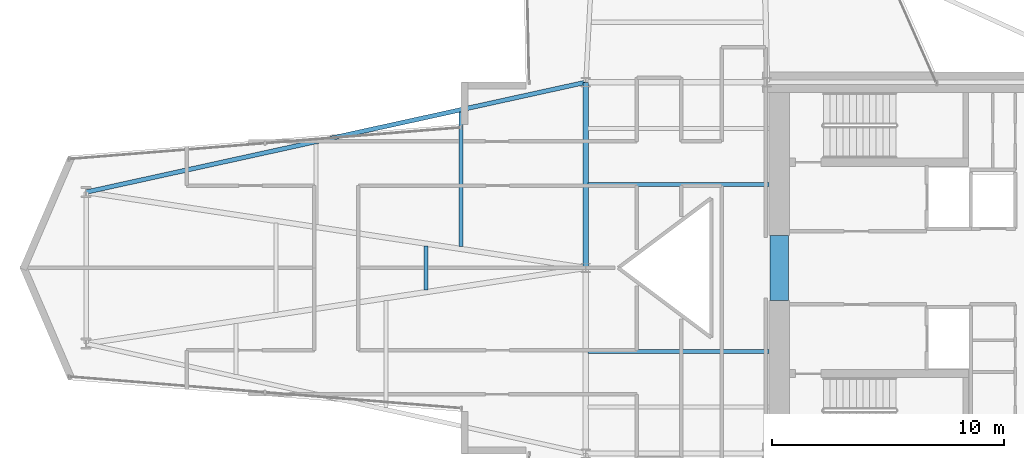
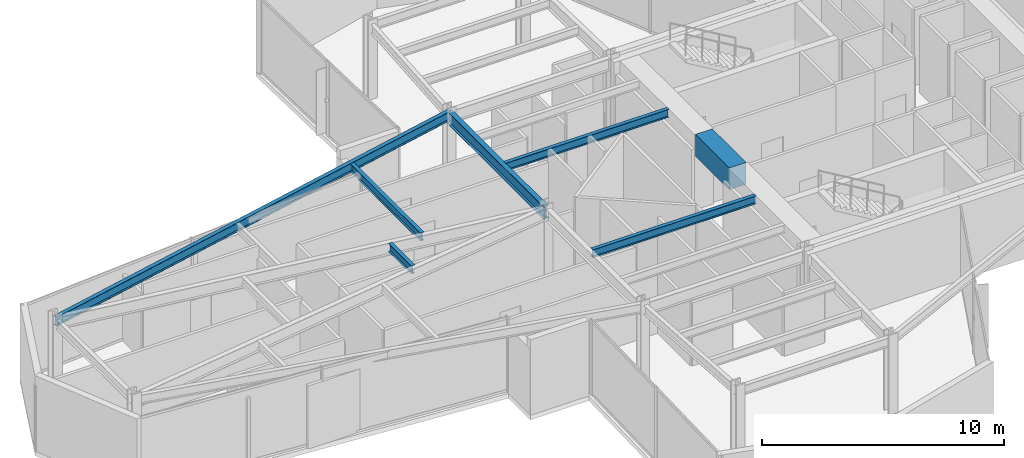
# One storey, part 8 of 23: 7 beams.
"""IFC4 building model written with IfcOpenShell, lengths in metres."""

import ifcopenshell
import ifcopenshell.guid

model = None  # the IFC model being written
_history = None  # IfcOwnerHistory: only IFC2X3 demands one
_inside = {}  # id of a spatial element -> (the spatial element, [elements in it])
_under = {}  # id of a project, library or spatial element -> (it, [spatial elements below it])
_declared = {}  # id of a project -> (the project, [libraries it declares])
_typed = {}  # id of a type object -> (the type object, [elements of that type])
_made_of = {}  # id of a material, layer set ... -> (it, [elements and type objects made of it])


def new_model(schema):
    """Start an empty IFC model of exactly this schema.

    Asked for "IFC4X3", IfcOpenShell would pick the latest addendum, in which some entities
    have other attributes; the version numbers below select the first issue.
    IFC2X3 requires an IfcOwnerHistory on every rooted entity: one is made here for all.
    """
    global model, _history
    if schema == "IFC4X3":
        model = ifcopenshell.file(schema_version=(4, 3, 0, 0))
    else:
        model = ifcopenshell.file(schema=schema)
    _inside.clear()
    _under.clear()
    _declared.clear()
    _typed.clear()
    _made_of.clear()
    _history = None
    if model.schema == "IFC2X3":
        org = make("IfcOrganization", Name="unknown")
        user = make(
            "IfcPersonAndOrganization",
            ThePerson=make("IfcPerson", FamilyName="unknown"),
            TheOrganization=org,
        )
        app = make(
            "IfcApplication",
            ApplicationDeveloper=org,
            Version="unknown",
            ApplicationFullName="unknown",
            ApplicationIdentifier="unknown",
        )
        _history = make(
            "IfcOwnerHistory",
            OwningUser=user,
            OwningApplication=app,
            ChangeAction="ADDED",
            CreationDate=0,
        )
    return model


def make(cls, **values):
    """One entity of the class cls with the attributes given. An attribute that is None is left unset."""
    return model.create_entity(
        cls, **{name: value for name, value in values.items() if value is not None}
    )


def rooted(cls, **values):
    """An entity with a GlobalId (a new one), such as an element, a storey or a relation."""
    return make(cls, GlobalId=ifcopenshell.guid.new(), OwnerHistory=_history, **values)


def si_unit(unit_type, name, prefix=None):
    """IfcSIUnit, for example si_unit("LENGTHUNIT", "METRE", prefix="MILLI")."""
    return make("IfcSIUnit", UnitType=unit_type, Prefix=prefix, Name=name)


def assignment(units):
    """IfcUnitAssignment: the units of a project."""
    return None if units is None else make("IfcUnitAssignment", Units=units)


def point(xyz):
    """IfcCartesianPoint."""
    return None if xyz is None else make("IfcCartesianPoint", Coordinates=xyz)


def direction(xyz):
    """IfcDirection."""
    return None if xyz is None else make("IfcDirection", DirectionRatios=xyz)


def frame(location, z_axis=None, x_axis=None):
    """IfcAxis2Placement3D, a coordinate frame: its origin and axes. An axis left out is left unset."""
    return make(
        "IfcAxis2Placement3D",
        Location=point(location),
        Axis=direction(z_axis),
        RefDirection=direction(x_axis),
    )


def frame_2d(location, x_axis=None):
    """IfcAxis2Placement2D, a coordinate frame in the plane: its origin and x axis."""
    return make(
        "IfcAxis2Placement2D", Location=point(location), RefDirection=direction(x_axis)
    )


def origin():
    """The frame at (0, 0, 0) with its axes left unset."""
    return frame((0.0, 0.0, 0.0))


def origin_2d():
    """The frame at (0, 0) in the plane with its x axis left unset."""
    return frame_2d((0.0, 0.0))


def place(relative_to, where):
    """IfcLocalPlacement: puts the frame where relative to a parent placement (None: the world)."""
    return make(
        "IfcLocalPlacement", PlacementRelTo=relative_to, RelativePlacement=where
    )


def context(
    kind, dimensions, precision=None, world=None, true_north=None, identifier=None
):
    """IfcGeometricRepresentationContext, for example the 3D "Model" context."""
    return make(
        "IfcGeometricRepresentationContext",
        ContextIdentifier=identifier,
        ContextType=kind,
        CoordinateSpaceDimension=dimensions,
        Precision=precision,
        WorldCoordinateSystem=world,
        TrueNorth=true_north,
    )


def subcontext(parent, identifier, kind, view, scale=None):
    """IfcGeometricRepresentationSubContext, for example "Body" below "Model"."""
    return make(
        "IfcGeometricRepresentationSubContext",
        ContextIdentifier=identifier,
        ContextType=kind,
        ParentContext=parent,
        TargetScale=scale,
        TargetView=view,
    )


def project(units=None, contexts=None):
    """IfcProject with its units and contexts."""
    return rooted(
        "IfcProject",
        Name="project",
        RepresentationContexts=contexts,
        UnitsInContext=assignment(units),
    )


def spatial(cls, under=None, at=None, **own):
    """A site, building, storey or space (cls), placed at a placement, below another one or the project."""
    s = rooted(cls, ObjectPlacement=at, **own)
    if under is not None:
        _under.setdefault(under.id(), (under, []))[1].append(s)
    return s


def profile(cls, at=None, kind="AREA", **sizes):
    """A parametric profile (cls). Its sizes go by their IFC names, for example OverallWidth=200.0."""
    return make(cls, ProfileType=kind, Position=at, **sizes)


def rectangle(**sizes):
    """IfcRectangleProfileDef."""
    return profile("IfcRectangleProfileDef", **sizes)


def i_section(**sizes):
    """IfcIShapeProfileDef."""
    return profile("IfcIShapeProfileDef", **sizes)


def extrude(swept, where, along, depth):
    """IfcExtrudedAreaSolid: the profile swept, set in the frame where, extruded along a direction by depth."""
    return make(
        "IfcExtrudedAreaSolid",
        SweptArea=swept,
        Position=where,
        ExtrudedDirection=direction(along),
        Depth=depth,
    )


def shape(context_of_items, identifier, shape_type, items):
    """IfcShapeRepresentation: the items that make up one representation, for example the "Body"."""
    return make(
        "IfcShapeRepresentation",
        ContextOfItems=context_of_items,
        RepresentationIdentifier=identifier,
        RepresentationType=shape_type,
        Items=items,
    )


def material(Name=None, Category=None):
    """IfcMaterial."""
    return make("IfcMaterial", Name=Name, Category=Category)


def material_profile(
    of_material, cross_section, Name=None, Category=None, Priority=None
):
    """IfcMaterialProfile: a cross section and its material."""
    return make(
        "IfcMaterialProfile",
        Name=Name,
        Material=of_material,
        Profile=cross_section,
        Priority=Priority,
        Category=Category,
    )


def profile_set(profiles, Name=None, composite=None):
    """IfcMaterialProfileSet."""
    return make(
        "IfcMaterialProfileSet",
        Name=Name,
        MaterialProfiles=profiles,
        CompositeProfile=composite,
    )


def made_of(thing, what):
    """Note that an element or type object is made of a material, layer set ...; save() writes the relation."""
    if what is not None:
        _made_of.setdefault(what.id(), (what, []))[1].append(thing)
    return thing


def type_object(cls, material=None, **own):
    """A type object (cls), such as IfcWallType, which elements share."""
    return made_of(rooted(cls, **own), material)


def element(
    cls,
    number,
    at=None,
    inside=None,
    cuts=None,
    type_object=None,
    material=None,
    context=None,
    identifier="Body",
    shape_type=None,
    held_by="IfcProductDefinitionShape",
    body=None,
    shapes=None,
    **own,
):
    """One element of the class cls, such as IfcWall. Its Tag is "e" and its number.

    at: its placement. inside: the storey or other place that contains it. cuts: it is an
    opening in that element (IfcRelVoidsElement). A single representation is given by context,
    identifier, shape_type and body (its items); several are given by shapes. held_by: the class
    of the entity that holds the representations. save() writes the other relations.
    """
    e = rooted(cls, Tag="e%d" % number, ObjectPlacement=at, **own)
    if body is not None:
        shapes = [shape(context, identifier, shape_type, body)]
    if shapes is not None:
        e.Representation = make(held_by, Representations=shapes)
    if inside is not None:
        _inside.setdefault(inside.id(), (inside, []))[1].append(e)
    if cuts is not None:
        rooted(
            "IfcRelVoidsElement", RelatingBuildingElement=cuts, RelatedOpeningElement=e
        )
    if type_object is not None:
        _typed.setdefault(type_object.id(), (type_object, []))[1].append(e)
    return made_of(e, material)


def aggregate(whole, parts):
    """IfcRelAggregates: a whole, such as a stair, and the parts it consists of."""
    return rooted("IfcRelAggregates", RelatingObject=whole, RelatedObjects=parts)


def save(model, path):
    """Write the relations noted so far, then the file.

    IfcRelAggregates (storeys below a building ...), IfcRelContainedInSpatialStructure (elements
    in a storey), IfcRelDefinesByType, IfcRelAssociatesMaterial and IfcRelDeclares: one each for
    every whole, place, type object, material and project.
    """
    for whole, parts in _under.values():
        aggregate(whole, parts)
    for where, things in _inside.values():
        rooted(
            "IfcRelContainedInSpatialStructure",
            RelatedElements=things,
            RelatingStructure=where,
        )
    for kind, things in _typed.values():
        rooted("IfcRelDefinesByType", RelatedObjects=things, RelatingType=kind)
    for what, things in _made_of.values():
        rooted("IfcRelAssociatesMaterial", RelatedObjects=things, RelatingMaterial=what)
    for by, libraries in _declared.values():
        rooted("IfcRelDeclares", RelatingContext=by, RelatedDefinitions=libraries)
    model.write(path)


model = new_model("IFC4")

# Units and contexts
model_context = context("Model", 3, precision=1e-05, world=origin(), true_north=direction((0.0, 1.0)))
body_context = subcontext(model_context, "Body", "Model", "MODEL_VIEW")
ifc_project = project(units=[si_unit("LENGTHUNIT", "METRE"), si_unit("AREAUNIT", "SQUARE_METRE"), si_unit("VOLUMEUNIT", "CUBIC_METRE"), si_unit("PLANEANGLEUNIT", "RADIAN"), si_unit("MASSUNIT", "GRAM", prefix="KILO")], contexts=[model_context])

# Site, building, storey
site_placement = place(None, origin())
site = spatial("IfcSite", under=ifc_project, at=site_placement, CompositionType="ELEMENT")
building_placement = place(site_placement, origin())
building = spatial("IfcBuilding", under=site, at=building_placement, Name="Veymaron Broadcast Tower", CompositionType="ELEMENT")
storey_placement = place(building_placement, frame((0.0, 0.0, 94.5)))
storey = spatial("IfcBuildingStorey", under=building, at=storey_placement, Name="L21", CompositionType="ELEMENT", Elevation=94.5)

# Beams
ifc_material_1 = material(Name="Concrete C70/85", Category="concrete")
ifc_material_profile_1 = material_profile(ifc_material_1, rectangle(XDim=0.800048828125, YDim=1.10009765625, at=origin_2d()), Name="RC800X1100")
ifc_profile_set_1 = profile_set([ifc_material_profile_1], Name="Concrete C70/85")
beam_type_1 = type_object("IfcBeamType", Name="BM-CB1", PredefinedType="LINTEL", material=ifc_profile_set_1)
beam_1_placement = place(storey_placement, frame((39.530029296875, 22.60009765625, 3.260009765625), z_axis=(0.0, 1.0, 0.0), x_axis=(-1.0, 0.0, 0.0)))
element("IfcBeam", 1, at=beam_1_placement, inside=storey, type_object=beam_type_1, Name="L21 Core Wall west coupling beam", PredefinedType="LINTEL", context=body_context, shape_type="SweptSolid", body=[
    extrude(rectangle(XDim=0.800048828125, YDim=1.10009765625, at=origin_2d()), origin(), (0.0, 0.0, 1.0), 2.7998046875),
])
ifc_material_2 = material(Name="Structural steel ASTM A992 Gr 50", Category="steel")
ifc_material_profile_2 = material_profile(ifc_material_2, i_section(OverallWidth=0.22998046875, OverallDepth=0.616943359375, WebThickness=0.01318359375, FlangeThickness=0.022216796875, at=origin_2d()), Name="W610X140")
ifc_profile_set_2 = profile_set([ifc_material_profile_2], Name="Structural steel ASTM A992 Gr 50")
beam_type_2 = type_object("IfcBeamType", Name="BM-FG1", PredefinedType="BEAM", material=ifc_profile_set_2)
beam_2_placement = place(storey_placement, frame((31.199951171875, 24.0, 3.50146484375), z_axis=(0.0, 1.0, 0.0), x_axis=(-1.0, 0.0, 0.0)))
element("IfcBeam", 2, at=beam_2_placement, inside=storey, type_object=beam_type_2, Name="L21 primary structural floor girder", PredefinedType="BEAM", context=body_context, shape_type="SweptSolid", body=[
    extrude(i_section(OverallWidth=0.22998046875, OverallDepth=0.616943359375, WebThickness=0.01318359375, FlangeThickness=0.022216796875, at=origin_2d()), origin(), (0.0, 0.0, 1.0), 8.0),
])
ifc_material_profile_3 = material_profile(ifc_material_2, i_section(OverallWidth=0.177978515625, OverallDepth=0.406982421875, WebThickness=0.0078125, FlangeThickness=0.0126953125, at=origin_2d()), Name="W410X60")
ifc_profile_set_3 = profile_set([ifc_material_profile_3], Name="Structural steel ASTM A992 Gr 50")
beam_type_3 = type_object("IfcBeamType", Name="BM-JS1", PredefinedType="JOIST", material=ifc_profile_set_3)
beam_3_placement = place(storey_placement, frame((24.30810546875, 23.05517578125, 3.6064453125), z_axis=(0.0, 1.0, 0.0), x_axis=(-1.0, 0.0, 0.0)))
element("IfcBeam", 3, at=beam_3_placement, inside=storey, type_object=beam_type_3, Name="L21 Arm-A secondary joist 2M", PredefinedType="JOIST", context=body_context, shape_type="SweptSolid", body=[
    extrude(i_section(OverallWidth=0.177978515625, OverallDepth=0.406982421875, WebThickness=0.0078125, FlangeThickness=0.0126953125, at=origin_2d()), origin(), (0.0, 0.0, 1.0), 1.8896484375),
])
beam_4_placement = place(storey_placement, frame((25.815673828125, 24.916259765625, 3.6064453125), z_axis=(0.0, 1.0, 0.0), x_axis=(-1.0, 0.0, 0.0)))
element("IfcBeam", 4, at=beam_4_placement, inside=storey, type_object=beam_type_3, Name="L21 Arm-A secondary joist 2N", PredefinedType="JOIST", context=body_context, shape_type="SweptSolid", body=[
    extrude(i_section(OverallWidth=0.177978515625, OverallDepth=0.406982421875, WebThickness=0.0078125, FlangeThickness=0.0126953125, at=origin_2d()), origin(), (0.0, 0.0, 1.0), 5.800048828125),
])
for number, where, z_axis, x_axis, name in (
    (5, (31.300048828125, 20.39990234375, 3.6064453125), (1.0, 0.0, 0.0), (0.0, 1.0, 0.0), "L21 Hub secondary joist 2"),
    (6, (31.300048828125, 27.60009765625, 3.6064453125), (1.0, 0.0, 0.0), (0.0, 1.0, 0.0), "L21 Hub secondary joist 3"),
):
    element("IfcBeam", number, at=place(storey_placement, frame(where, z_axis=z_axis, x_axis=x_axis)), inside=storey, type_object=beam_type_3, Name=name, PredefinedType="JOIST", context=body_context, shape_type="SweptSolid", body=[
        extrude(i_section(OverallWidth=0.177978515625, OverallDepth=0.406982421875, WebThickness=0.0078125, FlangeThickness=0.0126953125, at=origin_2d()), origin(), (0.0, 0.0, 1.0), 7.800048828125),
    ])
ifc_material_profile_4 = material_profile(ifc_material_2, i_section(OverallWidth=0.19091796875, OverallDepth=0.4599609375, WebThickness=0.010009765625, FlangeThickness=0.01611328125, at=origin_2d()), Name="W460X82")
ifc_profile_set_4 = profile_set([ifc_material_profile_4], Name="Structural steel ASTM A992 Gr 50")
beam_type_4 = type_object("IfcBeamType", Name="BM-SP1", PredefinedType="SPANDREL", material=ifc_profile_set_4)
beam_5_placement = place(storey_placement, frame((9.6630859375, 27.264892578125, 3.580078125), z_axis=(0.976673034469, 0.214731888041, 0.0), x_axis=(-0.214731888041, 0.976673034469, 0.0)))
element("IfcBeam", 7, at=beam_5_placement, inside=storey, type_object=beam_type_4, Name="L21 primary structural floor girder", PredefinedType="SPANDREL", context=body_context, shape_type="SweptSolid", body=[
    extrude(i_section(OverallWidth=0.19091796875, OverallDepth=0.4599609375, WebThickness=0.010009765625, FlangeThickness=0.01611328125, at=origin_2d()), origin(), (0.0, 0.0, 1.0), 22.05126953125),
])

save(model, "model.ifc")
